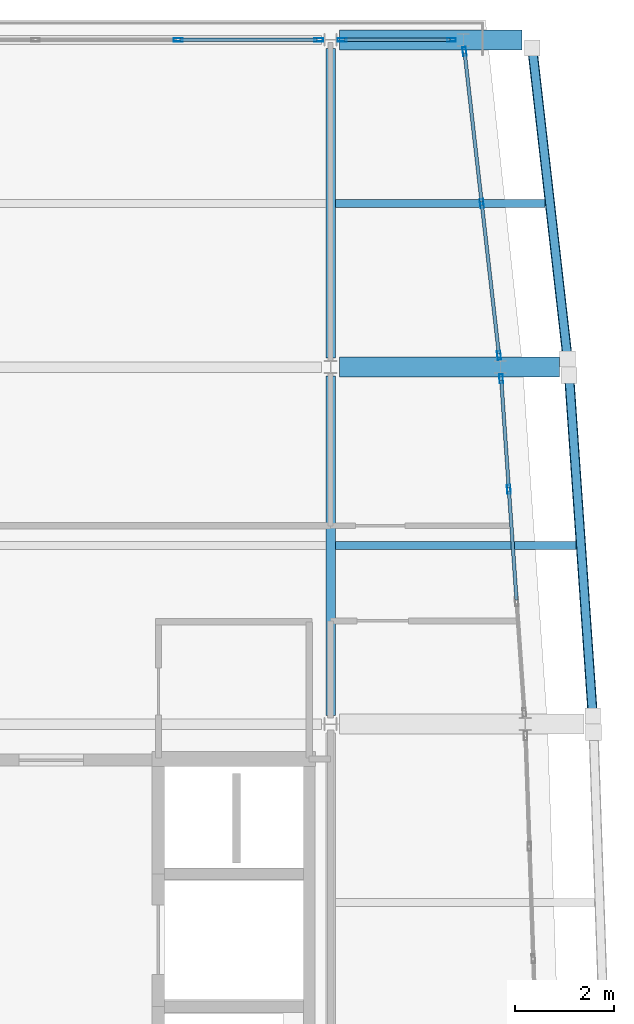
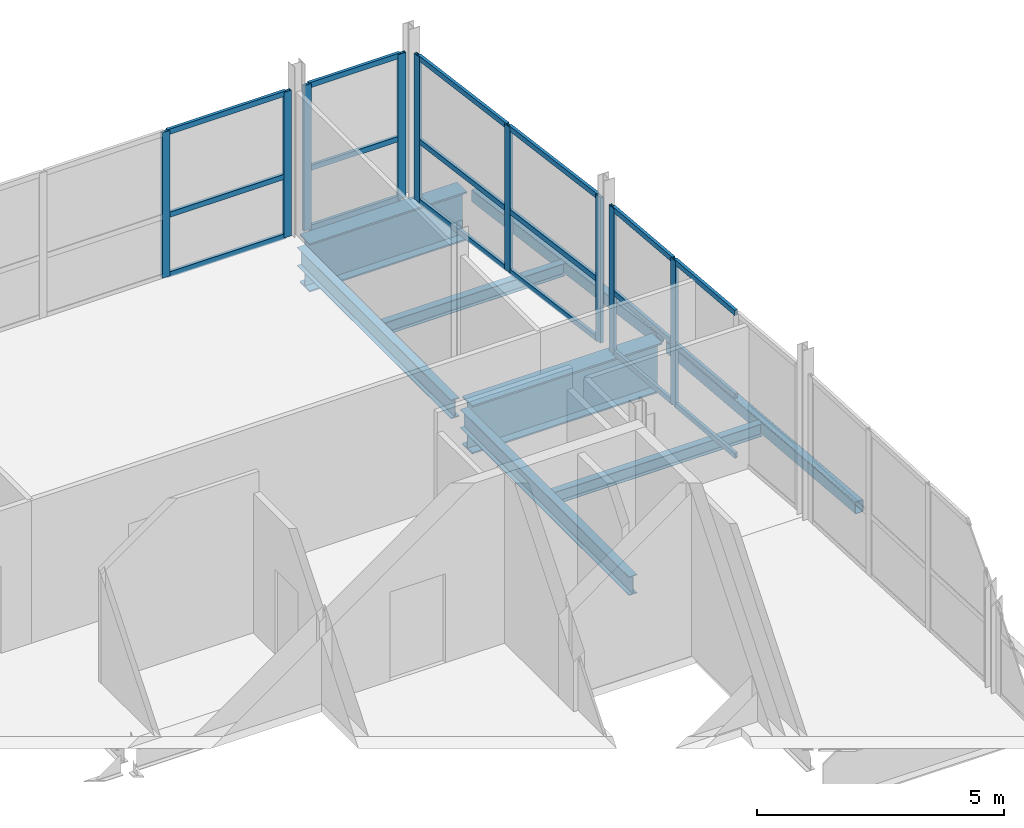
# One storey, part 11 of 17: 27 members, 8 beams, 4 elements without a shape of their own.
"""IFC4 building model written with IfcOpenShell, lengths in metres."""

from ifc_helpers import new_model, si_unit, direction, frame, origin, origin_2d, place, context, subcontext, project, spatial, hollow_rectangle, i_section, extrude, material, layer, layer_set, material_profile, profile_set, type_object, element, aggregate, save


model = new_model("IFC4")

# Units and contexts
model_context = context("Model", 3, precision=1e-05, world=origin(), true_north=direction((0.0, 1.0)))
body_context = subcontext(model_context, "Body", "Model", "MODEL_VIEW")
ifc_project = project(units=[si_unit("LENGTHUNIT", "METRE"), si_unit("AREAUNIT", "SQUARE_METRE"), si_unit("VOLUMEUNIT", "CUBIC_METRE"), si_unit("PLANEANGLEUNIT", "RADIAN"), si_unit("MASSUNIT", "GRAM", prefix="KILO")], contexts=[model_context])

# Site, building, storey
site_placement = place(None, origin())
site = spatial("IfcSite", under=ifc_project, at=site_placement, CompositionType="ELEMENT")
building_placement = place(site_placement, origin())
building = spatial("IfcBuilding", under=site, at=building_placement, Name="Quillay Park Conservatory", CompositionType="ELEMENT")
storey_placement = place(building_placement, frame((0.0, 0.0, 60.300048828125)))
storey = spatial("IfcBuildingStorey", under=building, at=storey_placement, Name="L14", CompositionType="ELEMENT", Elevation=60.300048828125)

# Beams
ifc_material_1 = material(Name="Steel ASTM A992 Grade 50", Category="steel")
ifc_material_profile_1 = material_profile(ifc_material_1, i_section(OverallWidth=0.166015625, OverallDepth=0.31298828125, WebThickness=0.006591796875, FlangeThickness=0.01123046875, FilletRadius=0.010009765625, at=origin_2d()), Name="W310x45")
ifc_profile_set_1 = profile_set([ifc_material_profile_1], Name="Steel ASTM A992 Grade 50")
beam_type_1 = type_object("IfcBeamType", Name="COMPOSITE FLOOR JOIST W310 X45", PredefinedType="JOIST", material=ifc_profile_set_1)
beam_1_placement = place(storey_placement, frame((19.845947265625, 103.199951171875, -0.37158203125), z_axis=(1.0, 0.0, 0.0), x_axis=(0.0, 1.0, 0.0)))
element("IfcBeam", 1, at=beam_1_placement, inside=storey, type_object=beam_type_1, Name="L14 beam BM-J-0991", PredefinedType="JOIST", context=body_context, shape_type="SweptSolid", body=[
    extrude(i_section(OverallWidth=0.166015625, OverallDepth=0.31298828125, WebThickness=0.006591796875, FlangeThickness=0.01123046875, FilletRadius=0.010009765625, at=origin_2d()), origin(), (0.0, 0.0, 1.0), 4.85400390625),
])
beam_2_placement = place(storey_placement, frame((19.845947265625, 110.10009765625, -0.37158203125), z_axis=(1.0, 0.0, 0.0), x_axis=(0.0, 1.0, 0.0)))
element("IfcBeam", 2, at=beam_2_placement, inside=storey, type_object=beam_type_1, Name="L14 beam BM-J-0998", PredefinedType="JOIST", context=body_context, shape_type="SweptSolid", body=[
    extrude(i_section(OverallWidth=0.166015625, OverallDepth=0.31298828125, WebThickness=0.006591796875, FlangeThickness=0.01123046875, FilletRadius=0.010009765625, at=origin_2d()), origin(), (0.0, 0.0, 1.0), 4.22900390625),
])

# Curtain wall, members
ifc_material_2 = material(Name="Thermally Broken Anodised Aluminium 6063-T6", Category="aluminium")
ifc_layer = layer(ifc_material_2, 0.179931640625)
ifc_layer_set = layer_set([ifc_layer], Name="UNITISED CURTAIN WALL TOWER (Thermally Broken Anodised Aluminium 6063-T6)")
curtain_wall_type = type_object("IfcCurtainWallType", Name="UNITISED CURTAIN WALL TOWER", PredefinedType="USERDEFINED", material=ifc_layer_set)
curtain_wall_1_placement = place(storey_placement, origin())
curtain_wall_1 = element("IfcCurtainWall", 3, at=curtain_wall_1_placement, inside=storey, type_object=curtain_wall_type, Name="L14 Unitised Curtain Wall 134", ObjectType="UNITISED CURTAIN WALL", PredefinedType="USERDEFINED")
ifc_material_3 = material(Name="Thermally Broken Anodised Aluminium 6063-T6", Category="aluminium")
ifc_material_profile_2 = material_profile(ifc_material_3, hollow_rectangle(XDim=0.070068359375, YDim=0.179931640625, WallThickness=0.00390625, at=origin_2d()), Name="AL70x180x4")
ifc_profile_set_2 = profile_set([ifc_material_profile_2], Name="Thermally Broken Anodised Aluminium 6063-T6")
member_type_1 = type_object("IfcMemberType", Name="CURTAIN WALL MULLION 70 X180", PredefinedType="MULLION", material=ifc_profile_set_2)
member_1_placement = place(storey_placement, frame((23.19140625, 106.565673828125, 0.0), z_axis=(0.0, 0.0, 1.0), x_axis=(0.99759835015, 0.069264217159, 0.0)))
member_1 = element("IfcMember", 4, at=member_1_placement, type_object=member_type_1, Name="CW-T1 mullion 1", PredefinedType="MULLION", context=body_context, shape_type="SweptSolid", body=[
    extrude(hollow_rectangle(XDim=0.070068359375, YDim=0.179931640625, WallThickness=0.00390625, at=origin_2d()), origin(), (0.0, 0.0, 1.0), 3.598876953125),
])
member_2_placement = place(storey_placement, frame((23.34619140625, 104.33349609375, 0.0), z_axis=(0.0, 0.0, 1.0), x_axis=(0.99759835015, 0.069264217159, 0.0)))
member_2 = element("IfcMember", 5, at=member_2_placement, type_object=member_type_1, Name="CW-T1 mullion 2", PredefinedType="MULLION", context=body_context, shape_type="SweptSolid", body=[
    extrude(hollow_rectangle(XDim=0.070068359375, YDim=0.179931640625, WallThickness=0.00390625, at=origin_2d()), origin(), (0.0, 0.0, 1.0), 3.598876953125),
])

curtain_wall_2_placement = place(storey_placement, origin())
curtain_wall_2 = element("IfcCurtainWall", 6, at=curtain_wall_2_placement, inside=storey, type_object=curtain_wall_type, Name="L14 Unitised Curtain Wall 135", ObjectType="UNITISED CURTAIN WALL", PredefinedType="USERDEFINED")
member_3_placement = place(storey_placement, frame((22.45166015625, 113.16650390625, 0.0), z_axis=(0.0, 0.0, 1.0), x_axis=(0.993605989969, 0.112903218278, 0.0)))
member_3 = element("IfcMember", 7, at=member_3_placement, type_object=member_type_1, Name="CW-T1 mullion 1", PredefinedType="MULLION", context=body_context, shape_type="SweptSolid", body=[
    extrude(hollow_rectangle(XDim=0.070068359375, YDim=0.179931640625, WallThickness=0.00390625, at=origin_2d()), origin(), (0.0, 0.0, 1.0), 3.598876953125),
])
member_4_placement = place(storey_placement, frame((22.800048828125, 110.10009765625, 0.0), z_axis=(0.0, 0.0, 1.0), x_axis=(0.993605989969, 0.112903218278, 0.0)))
member_4 = element("IfcMember", 8, at=member_4_placement, type_object=member_type_1, Name="CW-T1 mullion 2", PredefinedType="MULLION", context=body_context, shape_type="SweptSolid", body=[
    extrude(hollow_rectangle(XDim=0.070068359375, YDim=0.179931640625, WallThickness=0.00390625, at=origin_2d()), origin(), (0.0, 0.0, 1.0), 3.598876953125),
])
member_5_placement = place(storey_placement, frame((23.1484375, 107.033447265625, 0.0), z_axis=(0.0, 0.0, 1.0), x_axis=(0.993605989969, 0.112903218278, 0.0)))
member_5 = element("IfcMember", 9, at=member_5_placement, type_object=member_type_1, Name="CW-T1 mullion 3", PredefinedType="MULLION", context=body_context, shape_type="SweptSolid", body=[
    extrude(hollow_rectangle(XDim=0.070068359375, YDim=0.179931640625, WallThickness=0.00390625, at=origin_2d()), origin(), (0.0, 0.0, 1.0), 3.598876953125),
])

curtain_wall_3_placement = place(storey_placement, origin())
curtain_wall_3 = element("IfcCurtainWall", 10, at=curtain_wall_3_placement, inside=storey, type_object=curtain_wall_type, Name="L14 Unitised Curtain Wall 137", ObjectType="UNITISED CURTAIN WALL", PredefinedType="USERDEFINED")
member_6_placement = place(storey_placement, frame((16.675048828125, 113.39990234375, 0.0), z_axis=(0.0, 0.0, 1.0), x_axis=(0.0, 1.0, 0.0)))
member_6 = element("IfcMember", 11, at=member_6_placement, type_object=member_type_1, Name="CW-T1 mullion 4", PredefinedType="MULLION", context=body_context, shape_type="SweptSolid", body=[
    extrude(hollow_rectangle(XDim=0.070068359375, YDim=0.179931640625, WallThickness=0.00390625, at=origin_2d()), origin(), (0.0, 0.0, 1.0), 3.598876953125),
])
member_7_placement = place(storey_placement, frame((19.514892578125, 113.39990234375, 0.0), z_axis=(0.0, 0.0, 1.0), x_axis=(0.0, 1.0, 0.0)))
member_7 = element("IfcMember", 12, at=member_7_placement, type_object=member_type_1, Name="CW-T1 mullion 5", PredefinedType="MULLION", context=body_context, shape_type="SweptSolid", body=[
    extrude(hollow_rectangle(XDim=0.070068359375, YDim=0.179931640625, WallThickness=0.00390625, at=origin_2d()), origin(), (0.0, 0.0, 1.0), 3.598876953125),
])

curtain_wall_4_placement = place(storey_placement, origin())
curtain_wall_4 = element("IfcCurtainWall", 13, at=curtain_wall_4_placement, inside=storey, type_object=curtain_wall_type, Name="L14 Unitised Curtain Wall 138", ObjectType="UNITISED CURTAIN WALL", PredefinedType="USERDEFINED")
member_8_placement = place(storey_placement, frame((19.985107421875, 113.39990234375, 0.0), z_axis=(0.0, 0.0, 1.0), x_axis=(0.0, 1.0, 0.0)))
member_8 = element("IfcMember", 14, at=member_8_placement, type_object=member_type_1, Name="CW-T1 mullion 1", PredefinedType="MULLION", context=body_context, shape_type="SweptSolid", body=[
    extrude(hollow_rectangle(XDim=0.070068359375, YDim=0.179931640625, WallThickness=0.00390625, at=origin_2d()), origin(), (0.0, 0.0, 1.0), 3.598876953125),
])
member_9_placement = place(storey_placement, frame((22.18994140625, 113.39990234375, 0.0), z_axis=(0.0, 0.0, 1.0), x_axis=(0.0, 1.0, 0.0)))
member_9 = element("IfcMember", 15, at=member_9_placement, type_object=member_type_1, Name="CW-T1 mullion 2", PredefinedType="MULLION", context=body_context, shape_type="SweptSolid", body=[
    extrude(hollow_rectangle(XDim=0.070068359375, YDim=0.179931640625, WallThickness=0.00390625, at=origin_2d()), origin(), (0.0, 0.0, 1.0), 3.598876953125),
])

# Member
ifc_material_4 = material(Name="Thermally Broken Anodised Aluminium 6063-T6", Category="aluminium")
ifc_material_profile_3 = material_profile(ifc_material_4, hollow_rectangle(XDim=0.070068359375, YDim=0.1298828125, WallThickness=0.003173828125, at=origin_2d()), Name="AL70x130x3.2")
ifc_profile_set_3 = profile_set([ifc_material_profile_3], Name="Thermally Broken Anodised Aluminium 6063-T6")
member_type_2 = type_object("IfcMemberType", Name="CURTAIN WALL TRANSOM 70 X130", PredefinedType="USERDEFINED", material=ifc_profile_set_3)
member_10_placement = place(storey_placement, frame((23.19384765625, 106.53076171875, 0.034912109375), z_axis=(0.069269814421, -0.997597961511, 0.0), x_axis=(0.997597961511, 0.069269814421, 0.0)))
member_10 = element("IfcMember", 16, at=member_10_placement, type_object=member_type_2, Name="CW-T1 transom 1.1", ObjectType="TRANSOM", PredefinedType="USERDEFINED", context=body_context, shape_type="SweptSolid", body=[
    extrude(hollow_rectangle(XDim=0.070068359375, YDim=0.1298828125, WallThickness=0.003173828125, at=origin_2d()), origin(), (0.0, 0.0, 1.0), 2.16748046875),
])

member_11_placement = place(storey_placement, frame((23.19384765625, 106.53076171875, 1.511474609375), z_axis=(0.069269814421, -0.997597961511, 0.0), x_axis=(0.997597961511, 0.069269814421, 0.0)))
member_11 = element("IfcMember", 17, at=member_11_placement, type_object=member_type_2, Name="CW-T1 transom 1.2", ObjectType="TRANSOM", PredefinedType="USERDEFINED", context=body_context, shape_type="SweptSolid", body=[
    extrude(hollow_rectangle(XDim=0.070068359375, YDim=0.1298828125, WallThickness=0.003173828125, at=origin_2d()), origin(), (0.0, 0.0, 1.0), 2.16748046875),
])

member_12_placement = place(storey_placement, frame((23.19384765625, 106.53076171875, 3.56396484375), z_axis=(0.069269814421, -0.997597961511, 0.0), x_axis=(0.997597961511, 0.069269814421, 0.0)))
member_12 = element("IfcMember", 18, at=member_12_placement, type_object=member_type_2, Name="CW-T1 transom 1.3", ObjectType="TRANSOM", PredefinedType="USERDEFINED", context=body_context, shape_type="SweptSolid", body=[
    extrude(hollow_rectangle(XDim=0.070068359375, YDim=0.1298828125, WallThickness=0.003173828125, at=origin_2d()), origin(), (0.0, 0.0, 1.0), 2.16748046875),
])

member_13_placement = place(storey_placement, frame((23.3486328125, 104.298583984375, 0.034912109375), z_axis=(0.069277598678, -0.997597420968, 0.0), x_axis=(0.997597420968, 0.069277598678, 0.0)))
member_13 = element("IfcMember", 19, at=member_13_placement, type_object=member_type_2, Name="CW-T1 transom 2.1", ObjectType="TRANSOM", PredefinedType="USERDEFINED", context=body_context, shape_type="SweptSolid", body=[
    extrude(hollow_rectangle(XDim=0.070068359375, YDim=0.1298828125, WallThickness=0.003173828125, at=origin_2d()), origin(), (0.0, 0.0, 1.0), 2.20263671875),
])

member_14_placement = place(storey_placement, frame((23.3486328125, 104.298583984375, 1.511474609375), z_axis=(0.069277598678, -0.997597420968, 0.0), x_axis=(0.997597420968, 0.069277598678, 0.0)))
member_14 = element("IfcMember", 20, at=member_14_placement, type_object=member_type_2, Name="CW-T1 transom 2.2", ObjectType="TRANSOM", PredefinedType="USERDEFINED", context=body_context, shape_type="SweptSolid", body=[
    extrude(hollow_rectangle(XDim=0.070068359375, YDim=0.1298828125, WallThickness=0.003173828125, at=origin_2d()), origin(), (0.0, 0.0, 1.0), 2.20263671875),
])

member_15_placement = place(storey_placement, frame((23.3486328125, 104.298583984375, 3.56396484375), z_axis=(0.069277598678, -0.997597420968, 0.0), x_axis=(0.997597420968, 0.069277598678, 0.0)))
member_15 = element("IfcMember", 21, at=member_15_placement, type_object=member_type_2, Name="CW-T1 transom 2.3", ObjectType="TRANSOM", PredefinedType="USERDEFINED", context=body_context, shape_type="SweptSolid", body=[
    extrude(hollow_rectangle(XDim=0.070068359375, YDim=0.1298828125, WallThickness=0.003173828125, at=origin_2d()), origin(), (0.0, 0.0, 1.0), 2.20263671875),
])

aggregate(curtain_wall_1, [member_1, member_2, member_10, member_11, member_12, member_13, member_14, member_15])

member_16_placement = place(storey_placement, frame((22.45556640625, 113.1318359375, 0.034912109375), z_axis=(0.112909688044, -0.99360525479, 0.0), x_axis=(0.99360525479, 0.112909688044, 0.0)))
member_16 = element("IfcMember", 22, at=member_16_placement, type_object=member_type_2, Name="CW-T1 transom 1.1", ObjectType="TRANSOM", PredefinedType="USERDEFINED", context=body_context, shape_type="SweptSolid", body=[
    extrude(hollow_rectangle(XDim=0.070068359375, YDim=0.1298828125, WallThickness=0.003173828125, at=origin_2d()), origin(), (0.0, 0.0, 1.0), 3.016357421875),
])

member_17_placement = place(storey_placement, frame((22.45556640625, 113.1318359375, 1.511474609375), z_axis=(0.112909688044, -0.99360525479, 0.0), x_axis=(0.99360525479, 0.112909688044, 0.0)))
member_17 = element("IfcMember", 23, at=member_17_placement, type_object=member_type_2, Name="CW-T1 transom 1.2", ObjectType="TRANSOM", PredefinedType="USERDEFINED", context=body_context, shape_type="SweptSolid", body=[
    extrude(hollow_rectangle(XDim=0.070068359375, YDim=0.1298828125, WallThickness=0.003173828125, at=origin_2d()), origin(), (0.0, 0.0, 1.0), 3.016357421875),
])

member_18_placement = place(storey_placement, frame((22.45556640625, 113.1318359375, 3.56396484375), z_axis=(0.112909688044, -0.99360525479, 0.0), x_axis=(0.99360525479, 0.112909688044, 0.0)))
member_18 = element("IfcMember", 24, at=member_18_placement, type_object=member_type_2, Name="CW-T1 transom 1.3", ObjectType="TRANSOM", PredefinedType="USERDEFINED", context=body_context, shape_type="SweptSolid", body=[
    extrude(hollow_rectangle(XDim=0.070068359375, YDim=0.1298828125, WallThickness=0.003173828125, at=origin_2d()), origin(), (0.0, 0.0, 1.0), 3.016357421875),
])

member_19_placement = place(storey_placement, frame((22.803955078125, 110.065185546875, 0.034912109375), z_axis=(0.112918769109, -0.993604222808, 0.0), x_axis=(0.993604222808, 0.112918769109, 0.0)))
member_19 = element("IfcMember", 25, at=member_19_placement, type_object=member_type_2, Name="CW-T1 transom 2.1", ObjectType="TRANSOM", PredefinedType="USERDEFINED", context=body_context, shape_type="SweptSolid", body=[
    extrude(hollow_rectangle(XDim=0.070068359375, YDim=0.1298828125, WallThickness=0.003173828125, at=origin_2d()), origin(), (0.0, 0.0, 1.0), 3.01611328125),
])

member_20_placement = place(storey_placement, frame((22.803955078125, 110.065185546875, 1.511474609375), z_axis=(0.112918769109, -0.993604222808, 0.0), x_axis=(0.993604222808, 0.112918769109, 0.0)))
member_20 = element("IfcMember", 26, at=member_20_placement, type_object=member_type_2, Name="CW-T1 transom 2.2", ObjectType="TRANSOM", PredefinedType="USERDEFINED", context=body_context, shape_type="SweptSolid", body=[
    extrude(hollow_rectangle(XDim=0.070068359375, YDim=0.1298828125, WallThickness=0.003173828125, at=origin_2d()), origin(), (0.0, 0.0, 1.0), 3.01611328125),
])

member_21_placement = place(storey_placement, frame((22.803955078125, 110.065185546875, 3.56396484375), z_axis=(0.112918769109, -0.993604222808, 0.0), x_axis=(0.993604222808, 0.112918769109, 0.0)))
member_21 = element("IfcMember", 27, at=member_21_placement, type_object=member_type_2, Name="CW-T1 transom 2.3", ObjectType="TRANSOM", PredefinedType="USERDEFINED", context=body_context, shape_type="SweptSolid", body=[
    extrude(hollow_rectangle(XDim=0.070068359375, YDim=0.1298828125, WallThickness=0.003173828125, at=origin_2d()), origin(), (0.0, 0.0, 1.0), 3.01611328125),
])

aggregate(curtain_wall_2, [member_3, member_4, member_5, member_16, member_17, member_18, member_19, member_20, member_21])

member_22_placement = place(storey_placement, frame((16.7099609375, 113.39990234375, 0.034912109375), z_axis=(1.0, 0.0, 0.0), x_axis=(0.0, 1.0, 0.0)))
member_22 = element("IfcMember", 28, at=member_22_placement, type_object=member_type_2, Name="CW-T1 transom 4.1", ObjectType="TRANSOM", PredefinedType="USERDEFINED", context=body_context, shape_type="SweptSolid", body=[
    extrude(hollow_rectangle(XDim=0.070068359375, YDim=0.1298828125, WallThickness=0.003173828125, at=origin_2d()), origin(), (0.0, 0.0, 1.0), 2.77001953125),
])

member_23_placement = place(storey_placement, frame((16.7099609375, 113.39990234375, 1.511474609375), z_axis=(1.0, 0.0, 0.0), x_axis=(0.0, 1.0, 0.0)))
member_23 = element("IfcMember", 29, at=member_23_placement, type_object=member_type_2, Name="CW-T1 transom 4.2", ObjectType="TRANSOM", PredefinedType="USERDEFINED", context=body_context, shape_type="SweptSolid", body=[
    extrude(hollow_rectangle(XDim=0.070068359375, YDim=0.1298828125, WallThickness=0.003173828125, at=origin_2d()), origin(), (0.0, 0.0, 1.0), 2.77001953125),
])

member_24_placement = place(storey_placement, frame((16.7099609375, 113.39990234375, 3.56396484375), z_axis=(1.0, 0.0, 0.0), x_axis=(0.0, 1.0, 0.0)))
member_24 = element("IfcMember", 30, at=member_24_placement, type_object=member_type_2, Name="CW-T1 transom 4.3", ObjectType="TRANSOM", PredefinedType="USERDEFINED", context=body_context, shape_type="SweptSolid", body=[
    extrude(hollow_rectangle(XDim=0.070068359375, YDim=0.1298828125, WallThickness=0.003173828125, at=origin_2d()), origin(), (0.0, 0.0, 1.0), 2.77001953125),
])

aggregate(curtain_wall_3, [member_6, member_7, member_22, member_23, member_24])

member_25_placement = place(storey_placement, frame((20.02001953125, 113.39990234375, 0.034912109375), z_axis=(1.0, 0.0, 0.0), x_axis=(0.0, 1.0, 0.0)))
member_25 = element("IfcMember", 31, at=member_25_placement, type_object=member_type_2, Name="CW-T1 transom 1.1", ObjectType="TRANSOM", PredefinedType="USERDEFINED", context=body_context, shape_type="SweptSolid", body=[
    extrude(hollow_rectangle(XDim=0.070068359375, YDim=0.1298828125, WallThickness=0.003173828125, at=origin_2d()), origin(), (0.0, 0.0, 1.0), 2.135009765625),
])

member_26_placement = place(storey_placement, frame((20.02001953125, 113.39990234375, 1.511474609375), z_axis=(1.0, 0.0, 0.0), x_axis=(0.0, 1.0, 0.0)))
member_26 = element("IfcMember", 32, at=member_26_placement, type_object=member_type_2, Name="CW-T1 transom 1.2", ObjectType="TRANSOM", PredefinedType="USERDEFINED", context=body_context, shape_type="SweptSolid", body=[
    extrude(hollow_rectangle(XDim=0.070068359375, YDim=0.1298828125, WallThickness=0.003173828125, at=origin_2d()), origin(), (0.0, 0.0, 1.0), 2.135009765625),
])

member_27_placement = place(storey_placement, frame((20.02001953125, 113.39990234375, 3.56396484375), z_axis=(1.0, 0.0, 0.0), x_axis=(0.0, 1.0, 0.0)))
member_27 = element("IfcMember", 33, at=member_27_placement, type_object=member_type_2, Name="CW-T1 transom 1.3", ObjectType="TRANSOM", PredefinedType="USERDEFINED", context=body_context, shape_type="SweptSolid", body=[
    extrude(hollow_rectangle(XDim=0.070068359375, YDim=0.1298828125, WallThickness=0.003173828125, at=origin_2d()), origin(), (0.0, 0.0, 1.0), 2.135009765625),
])

aggregate(curtain_wall_4, [member_8, member_9, member_25, member_26, member_27])

# Beams
ifc_material_5 = material(Name="Steel S355J2H", Category="steel")
ifc_material_profile_4 = material_profile(ifc_material_5, hollow_rectangle(XDim=0.199951171875, YDim=0.300048828125, WallThickness=0.012451171875, InnerFilletRadius=0.012451171875, OuterFilletRadius=0.02490234375, at=origin_2d()), Name="RHS300x200x12.5")
ifc_profile_set_4 = profile_set([ifc_material_profile_4], Name="Steel S355J2H")
beam_type_2 = type_object("IfcBeamType", Name="PERIMETER SPANDREL BEAM RHS300", PredefinedType="SPANDREL", material=ifc_profile_set_4)
beam_3_placement = place(storey_placement, frame((25.03759765625, 99.777587890625, -0.364990234375), z_axis=(-0.069279566009, 0.997597284346, 0.0), x_axis=(-0.997597284346, -0.069279566009, 0.0)))
element("IfcBeam", 34, at=beam_3_placement, inside=storey, type_object=beam_type_2, Name="L14 beam BM-SPE-0987", PredefinedType="SPANDREL", context=body_context, shape_type="SweptSolid", body=[
    extrude(hollow_rectangle(XDim=0.199951171875, YDim=0.300048828125, WallThickness=0.012451171875, InnerFilletRadius=0.012451171875, OuterFilletRadius=0.02490234375, at=origin_2d()), origin(), (0.0, 0.0, 1.0), 6.861328125),
])
beam_4_placement = place(storey_placement, frame((24.52978515625, 106.976806640625, -0.364990234375), z_axis=(-0.112894874685, 0.993606938014, 0.0), x_axis=(-0.993606938014, -0.112894874685, 0.0)))
element("IfcBeam", 35, at=beam_4_placement, inside=storey, type_object=beam_type_2, Name="L14 beam BM-SPE-0994", PredefinedType="SPANDREL", context=body_context, shape_type="SweptSolid", body=[
    extrude(hollow_rectangle(XDim=0.199951171875, YDim=0.300048828125, WallThickness=0.012451171875, InnerFilletRadius=0.012451171875, OuterFilletRadius=0.02490234375, at=origin_2d()), origin(), (0.0, 0.0, 1.0), 6.28662109375),
])
ifc_material_6 = material(Name="Steel ASTM A992 Grade 50", Category="steel")
ifc_material_profile_5 = material_profile(ifc_material_6, i_section(OverallWidth=0.19189453125, OverallDepth=0.462890625, WebThickness=0.010498046875, FlangeThickness=0.017578125, FilletRadius=0.012939453125, at=origin_2d()), Name="W460x89")
ifc_profile_set_5 = profile_set([ifc_material_profile_5], Name="Steel ASTM A992 Grade 50")
beam_type_3 = type_object("IfcBeamType", Name="PRIMARY FLOOR GIRDER W460 X89", PredefinedType="BEAM", material=ifc_profile_set_5)
beam_5_placement = place(storey_placement, frame((19.75, 99.778076171875, -0.446533203125), z_axis=(0.0, 1.0, 0.0), x_axis=(-1.0, 0.0, 0.0)))
element("IfcBeam", 36, at=beam_5_placement, inside=storey, type_object=beam_type_3, Name="L14 beam BM-GNS-0989", PredefinedType="BEAM", context=body_context, shape_type="SweptSolid", body=[
    extrude(i_section(OverallWidth=0.19189453125, OverallDepth=0.462890625, WebThickness=0.010498046875, FlangeThickness=0.017578125, FilletRadius=0.012939453125, at=origin_2d()), origin(), (0.0, 0.0, 1.0), 6.83740234375),
])
beam_6_placement = place(storey_placement, frame((19.75, 106.984619140625, -0.446533203125), z_axis=(0.0, 1.0, 0.0), x_axis=(-1.0, 0.0, 0.0)))
element("IfcBeam", 37, at=beam_6_placement, inside=storey, type_object=beam_type_3, Name="L14 beam BM-GNS-0996", PredefinedType="BEAM", context=body_context, shape_type="SweptSolid", body=[
    extrude(i_section(OverallWidth=0.19189453125, OverallDepth=0.462890625, WebThickness=0.010498046875, FlangeThickness=0.017578125, FilletRadius=0.012939453125, at=origin_2d()), origin(), (0.0, 0.0, 1.0), 6.2373046875),
])
ifc_material_7 = material(Name="Steel ASTM A572 Grade 50", Category="steel")
ifc_material_profile_6 = material_profile(ifc_material_7, i_section(OverallWidth=0.39990234375, OverallDepth=1.199951171875, WebThickness=0.02001953125, FlangeThickness=0.0380859375, at=origin_2d()), Name="IG1200x400")
ifc_profile_set_6 = profile_set([ifc_material_profile_6], Name="Steel ASTM A572 Grade 50")
beam_type_4 = type_object("IfcBeamType", Name="TRANSFER PLATE GIRDER IG1200", PredefinedType="USERDEFINED", material=ifc_profile_set_6)
beam_7_placement = place(storey_placement, frame((19.927978515625, 106.800048828125, -0.81494140625), z_axis=(1.0, 0.0, 0.0), x_axis=(0.0, 1.0, 0.0)))
element("IfcBeam", 38, at=beam_7_placement, inside=storey, type_object=beam_type_4, Name="L14 beam BM-TG2-0957", ObjectType="TRANSFER PLATE GIRDER", PredefinedType="USERDEFINED", context=body_context, shape_type="SweptSolid", body=[
    extrude(i_section(OverallWidth=0.39990234375, OverallDepth=1.199951171875, WebThickness=0.02001953125, FlangeThickness=0.0380859375, at=origin_2d()), origin(), (0.0, 0.0, 1.0), 4.4375),
])
beam_8_placement = place(storey_placement, frame((19.9345703125, 113.39990234375, -0.81494140625), z_axis=(1.0, 0.0, 0.0), x_axis=(0.0, 1.0, 0.0)))
element("IfcBeam", 39, at=beam_8_placement, inside=storey, type_object=beam_type_4, Name="L14 beam BM-TG2-0960", ObjectType="TRANSFER PLATE GIRDER", PredefinedType="USERDEFINED", context=body_context, shape_type="SweptSolid", body=[
    extrude(i_section(OverallWidth=0.39990234375, OverallDepth=1.199951171875, WebThickness=0.02001953125, FlangeThickness=0.0380859375, at=origin_2d()), origin(), (0.0, 0.0, 1.0), 3.680908203125),
])

save(model, "model.ifc")
